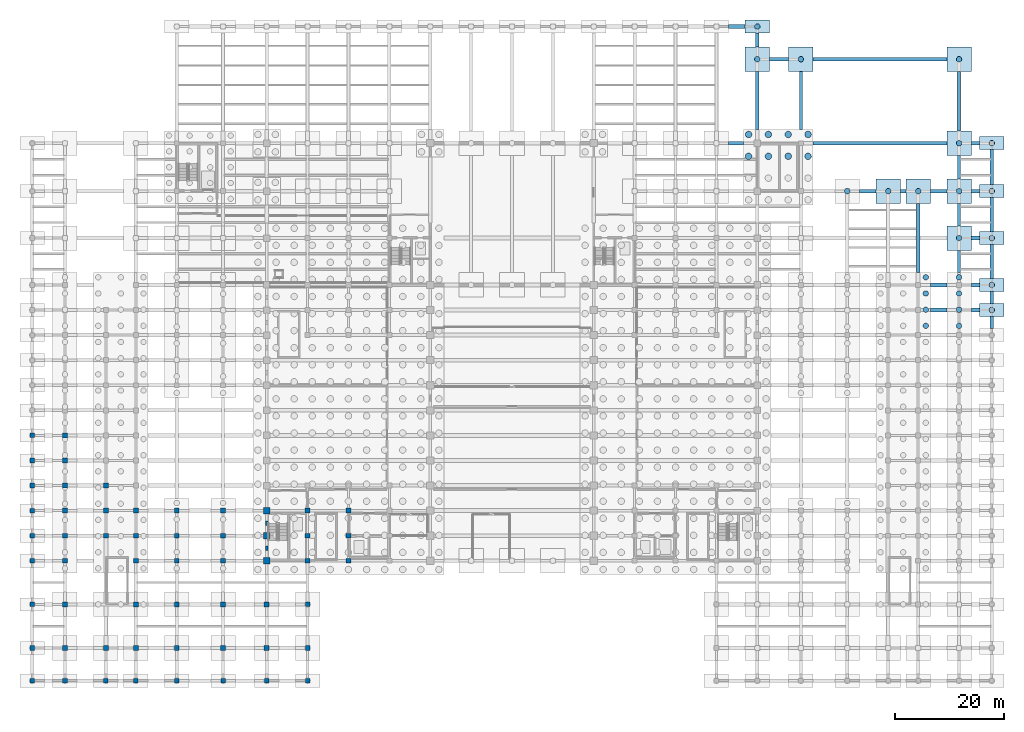
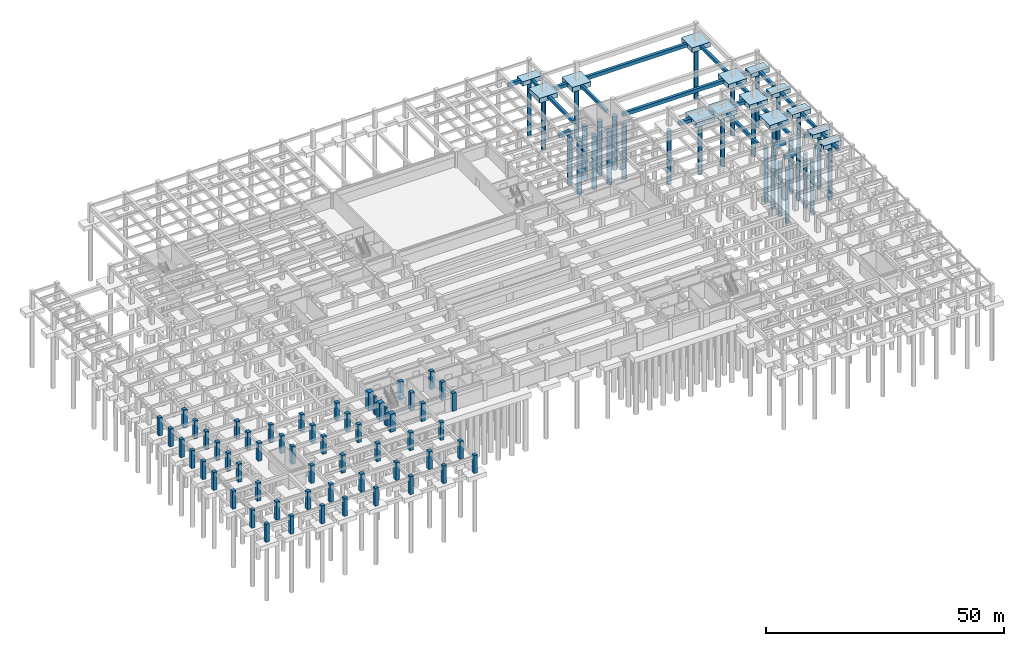
# One storey, part 10 of 32: 58 columns, 42 footings, 31 piles.
"""IFC4 building model written with IfcOpenShell, lengths in metres."""

import ifcopenshell
import ifcopenshell.guid

model = None  # the IFC model being written
_history = None  # IfcOwnerHistory: only IFC2X3 demands one
_inside = {}  # id of a spatial element -> (the spatial element, [elements in it])
_under = {}  # id of a project, library or spatial element -> (it, [spatial elements below it])
_declared = {}  # id of a project -> (the project, [libraries it declares])
_typed = {}  # id of a type object -> (the type object, [elements of that type])
_made_of = {}  # id of a material, layer set ... -> (it, [elements and type objects made of it])


def new_model(schema):
    """Start an empty IFC model of exactly this schema.

    Asked for "IFC4X3", IfcOpenShell would pick the latest addendum, in which some entities
    have other attributes; the version numbers below select the first issue.
    IFC2X3 requires an IfcOwnerHistory on every rooted entity: one is made here for all.
    """
    global model, _history
    if schema == "IFC4X3":
        model = ifcopenshell.file(schema_version=(4, 3, 0, 0))
    else:
        model = ifcopenshell.file(schema=schema)
    _inside.clear()
    _under.clear()
    _declared.clear()
    _typed.clear()
    _made_of.clear()
    _history = None
    if model.schema == "IFC2X3":
        org = make("IfcOrganization", Name="unknown")
        user = make(
            "IfcPersonAndOrganization",
            ThePerson=make("IfcPerson", FamilyName="unknown"),
            TheOrganization=org,
        )
        app = make(
            "IfcApplication",
            ApplicationDeveloper=org,
            Version="unknown",
            ApplicationFullName="unknown",
            ApplicationIdentifier="unknown",
        )
        _history = make(
            "IfcOwnerHistory",
            OwningUser=user,
            OwningApplication=app,
            ChangeAction="ADDED",
            CreationDate=0,
        )
    return model


def make(cls, **values):
    """One entity of the class cls with the attributes given. An attribute that is None is left unset."""
    return model.create_entity(
        cls, **{name: value for name, value in values.items() if value is not None}
    )


def rooted(cls, **values):
    """An entity with a GlobalId (a new one), such as an element, a storey or a relation."""
    return make(cls, GlobalId=ifcopenshell.guid.new(), OwnerHistory=_history, **values)


def si_unit(unit_type, name, prefix=None):
    """IfcSIUnit, for example si_unit("LENGTHUNIT", "METRE", prefix="MILLI")."""
    return make("IfcSIUnit", UnitType=unit_type, Prefix=prefix, Name=name)


def assignment(units):
    """IfcUnitAssignment: the units of a project."""
    return None if units is None else make("IfcUnitAssignment", Units=units)


def point(xyz):
    """IfcCartesianPoint."""
    return None if xyz is None else make("IfcCartesianPoint", Coordinates=xyz)


def direction(xyz):
    """IfcDirection."""
    return None if xyz is None else make("IfcDirection", DirectionRatios=xyz)


def frame(location, z_axis=None, x_axis=None):
    """IfcAxis2Placement3D, a coordinate frame: its origin and axes. An axis left out is left unset."""
    return make(
        "IfcAxis2Placement3D",
        Location=point(location),
        Axis=direction(z_axis),
        RefDirection=direction(x_axis),
    )


def frame_2d(location, x_axis=None):
    """IfcAxis2Placement2D, a coordinate frame in the plane: its origin and x axis."""
    return make(
        "IfcAxis2Placement2D", Location=point(location), RefDirection=direction(x_axis)
    )


def origin():
    """The frame at (0, 0, 0) with its axes left unset."""
    return frame((0.0, 0.0, 0.0))


def origin_2d():
    """The frame at (0, 0) in the plane with its x axis left unset."""
    return frame_2d((0.0, 0.0))


def place(relative_to, where):
    """IfcLocalPlacement: puts the frame where relative to a parent placement (None: the world)."""
    return make(
        "IfcLocalPlacement", PlacementRelTo=relative_to, RelativePlacement=where
    )


def context(
    kind, dimensions, precision=None, world=None, true_north=None, identifier=None
):
    """IfcGeometricRepresentationContext, for example the 3D "Model" context."""
    return make(
        "IfcGeometricRepresentationContext",
        ContextIdentifier=identifier,
        ContextType=kind,
        CoordinateSpaceDimension=dimensions,
        Precision=precision,
        WorldCoordinateSystem=world,
        TrueNorth=true_north,
    )


def subcontext(parent, identifier, kind, view, scale=None):
    """IfcGeometricRepresentationSubContext, for example "Body" below "Model"."""
    return make(
        "IfcGeometricRepresentationSubContext",
        ContextIdentifier=identifier,
        ContextType=kind,
        ParentContext=parent,
        TargetScale=scale,
        TargetView=view,
    )


def project(units=None, contexts=None):
    """IfcProject with its units and contexts."""
    return rooted(
        "IfcProject",
        Name="project",
        RepresentationContexts=contexts,
        UnitsInContext=assignment(units),
    )


def spatial(cls, under=None, at=None, **own):
    """A site, building, storey or space (cls), placed at a placement, below another one or the project."""
    s = rooted(cls, ObjectPlacement=at, **own)
    if under is not None:
        _under.setdefault(under.id(), (under, []))[1].append(s)
    return s


def profile(cls, at=None, kind="AREA", **sizes):
    """A parametric profile (cls). Its sizes go by their IFC names, for example OverallWidth=200.0."""
    return make(cls, ProfileType=kind, Position=at, **sizes)


def rectangle(**sizes):
    """IfcRectangleProfileDef."""
    return profile("IfcRectangleProfileDef", **sizes)


def circle(**sizes):
    """IfcCircleProfileDef."""
    return profile("IfcCircleProfileDef", **sizes)


def extrude(swept, where, along, depth):
    """IfcExtrudedAreaSolid: the profile swept, set in the frame where, extruded along a direction by depth."""
    return make(
        "IfcExtrudedAreaSolid",
        SweptArea=swept,
        Position=where,
        ExtrudedDirection=direction(along),
        Depth=depth,
    )


def shape(context_of_items, identifier, shape_type, items):
    """IfcShapeRepresentation: the items that make up one representation, for example the "Body"."""
    return make(
        "IfcShapeRepresentation",
        ContextOfItems=context_of_items,
        RepresentationIdentifier=identifier,
        RepresentationType=shape_type,
        Items=items,
    )


def material(Name=None, Category=None):
    """IfcMaterial."""
    return make("IfcMaterial", Name=Name, Category=Category)


def material_profile(
    of_material, cross_section, Name=None, Category=None, Priority=None
):
    """IfcMaterialProfile: a cross section and its material."""
    return make(
        "IfcMaterialProfile",
        Name=Name,
        Material=of_material,
        Profile=cross_section,
        Priority=Priority,
        Category=Category,
    )


def profile_set(profiles, Name=None, composite=None):
    """IfcMaterialProfileSet."""
    return make(
        "IfcMaterialProfileSet",
        Name=Name,
        MaterialProfiles=profiles,
        CompositeProfile=composite,
    )


def made_of(thing, what):
    """Note that an element or type object is made of a material, layer set ...; save() writes the relation."""
    if what is not None:
        _made_of.setdefault(what.id(), (what, []))[1].append(thing)
    return thing


def type_object(cls, material=None, **own):
    """A type object (cls), such as IfcWallType, which elements share."""
    return made_of(rooted(cls, **own), material)


def element(
    cls,
    number,
    at=None,
    inside=None,
    cuts=None,
    type_object=None,
    material=None,
    context=None,
    identifier="Body",
    shape_type=None,
    held_by="IfcProductDefinitionShape",
    body=None,
    shapes=None,
    **own,
):
    """One element of the class cls, such as IfcWall. Its Tag is "e" and its number.

    at: its placement. inside: the storey or other place that contains it. cuts: it is an
    opening in that element (IfcRelVoidsElement). A single representation is given by context,
    identifier, shape_type and body (its items); several are given by shapes. held_by: the class
    of the entity that holds the representations. save() writes the other relations.
    """
    e = rooted(cls, Tag="e%d" % number, ObjectPlacement=at, **own)
    if body is not None:
        shapes = [shape(context, identifier, shape_type, body)]
    if shapes is not None:
        e.Representation = make(held_by, Representations=shapes)
    if inside is not None:
        _inside.setdefault(inside.id(), (inside, []))[1].append(e)
    if cuts is not None:
        rooted(
            "IfcRelVoidsElement", RelatingBuildingElement=cuts, RelatedOpeningElement=e
        )
    if type_object is not None:
        _typed.setdefault(type_object.id(), (type_object, []))[1].append(e)
    return made_of(e, material)


def aggregate(whole, parts):
    """IfcRelAggregates: a whole, such as a stair, and the parts it consists of."""
    return rooted("IfcRelAggregates", RelatingObject=whole, RelatedObjects=parts)


def save(model, path):
    """Write the relations noted so far, then the file.

    IfcRelAggregates (storeys below a building ...), IfcRelContainedInSpatialStructure (elements
    in a storey), IfcRelDefinesByType, IfcRelAssociatesMaterial and IfcRelDeclares: one each for
    every whole, place, type object, material and project.
    """
    for whole, parts in _under.values():
        aggregate(whole, parts)
    for where, things in _inside.values():
        rooted(
            "IfcRelContainedInSpatialStructure",
            RelatedElements=things,
            RelatingStructure=where,
        )
    for kind, things in _typed.values():
        rooted("IfcRelDefinesByType", RelatedObjects=things, RelatingType=kind)
    for what, things in _made_of.values():
        rooted("IfcRelAssociatesMaterial", RelatedObjects=things, RelatingMaterial=what)
    for by, libraries in _declared.values():
        rooted("IfcRelDeclares", RelatingContext=by, RelatedDefinitions=libraries)
    model.write(path)


model = new_model("IFC4")

# Units and contexts
model_context = context("Model", 3, precision=1e-05, world=origin(), true_north=direction((0.0, 1.0)))
body_context = subcontext(model_context, "Body", "Model", "MODEL_VIEW")
ifc_project = project(units=[si_unit("LENGTHUNIT", "METRE"), si_unit("AREAUNIT", "SQUARE_METRE"), si_unit("VOLUMEUNIT", "CUBIC_METRE"), si_unit("PLANEANGLEUNIT", "RADIAN"), si_unit("MASSUNIT", "GRAM", prefix="KILO")], contexts=[model_context])

# Site, building, storey
site_placement = place(None, origin())
site = spatial("IfcSite", under=ifc_project, at=site_placement, CompositionType="ELEMENT")
building_placement = place(site_placement, origin())
building = spatial("IfcBuilding", under=site, at=building_placement, Name="Muzn Square Opera House", CompositionType="ELEMENT")
storey_placement = place(building_placement, frame((0.0, 0.0, -4.199951171875)))
storey = spatial("IfcBuildingStorey", under=building, at=storey_placement, Name="B1", CompositionType="ELEMENT", Elevation=-4.199951171875)

# Piles
ifc_material_1 = material(Name="Concrete C40/50", Category="concrete")
ifc_material_profile_1 = material_profile(ifc_material_1, circle(Radius=0.5, at=origin_2d()), Name="BORED PILE D1000", Category="concrete")
ifc_profile_set_1 = profile_set([ifc_material_profile_1], Name="Concrete C40/50")
pile_type_1 = type_object("IfcPileType", Name="Bored Pile D1000", PredefinedType="BORED", material=ifc_profile_set_1)
for number, where, z_axis, x_axis, name in (
    (1, (163.89990234375, 65.10009765625, -1.570068359375), (0.0, 0.0, -1.0), (1.0, 0.0, 0.0), "Bored Pile BP-B1-BP-D1000-1639_651-665"),
    (2, (163.89990234375, 68.066650390625, -1.570068359375), (0.0, 0.0, -1.0), (1.0, 0.0, 0.0), "Bored Pile BP-B1-BP-D1000-1639_681-666"),
    (3, (163.89990234375, 71.033203125, -1.570068359375), (0.0, 0.0, -1.0), (1.0, 0.0, 0.0), "Bored Pile BP-B1-BP-D1000-1639_710-667"),
    (4, (163.89990234375, 74.0, -1.570068359375), (0.0, 0.0, -1.0), (1.0, 0.0, 0.0), "Bored Pile BP-B1-BP-D1000-1639_740-668"),
    (5, (170.0, 65.10009765625, -1.570068359375), (0.0, 0.0, -1.0), (1.0, 0.0, 0.0), "Bored Pile BP-B1-BP-D1000-1700_651-684"),
    (6, (170.0, 68.066650390625, -1.570068359375), (0.0, 0.0, -1.0), (1.0, 0.0, 0.0), "Bored Pile BP-B1-BP-D1000-1700_681-685"),
    (7, (170.0, 71.033203125, -1.570068359375), (0.0, 0.0, -1.0), (1.0, 0.0, 0.0), "Bored Pile BP-B1-BP-D1000-1700_710-686"),
    (8, (170.0, 74.0, -1.570068359375), (0.0, 0.0, -1.0), (1.0, 0.0, 0.0), "Bored Pile BP-B1-BP-D1000-1700_740-687"),
):
    element("IfcPile", number, at=place(storey_placement, frame(where, z_axis=z_axis, x_axis=x_axis)), inside=storey, type_object=pile_type_1, Name=name, PredefinedType="BORED", context=body_context, shape_type="SweptSolid", body=[
        extrude(circle(Radius=0.5, at=origin_2d()), origin(), (0.0, 0.0, 1.0), 13.929931640625),
    ])
for number, where, z_axis, x_axis, name in (
    (9, (176.0, 68.0, -1.469970703125), (0.0, 0.0, -1.0), (1.0, 0.0, 0.0), "Bored Pile BP-B1-BP-D1000-1760_680-741"),
    (10, (176.0, 72.60009765625, -1.469970703125), (0.0, 0.0, -1.0), (1.0, 0.0, 0.0), "Bored Pile BP-B1-BP-D1000-1760_726-746"),
):
    element("IfcPile", number, at=place(storey_placement, frame(where, z_axis=z_axis, x_axis=x_axis)), inside=storey, type_object=pile_type_1, Name=name, PredefinedType="BORED", context=body_context, shape_type="SweptSolid", body=[
        extrude(circle(Radius=0.5, at=origin_2d()), origin(), (0.0, 0.0, 1.0), 14.030029296875),
    ])
pile_1_placement = place(storey_placement, frame((170.0, 81.199951171875, -1.570068359375), z_axis=(0.0, 0.0, -1.0), x_axis=(1.0, 0.0, 0.0)))
element("IfcPile", 11, at=pile_1_placement, inside=storey, type_object=pile_type_1, Name="Bored Pile BP-B1-BP-D1000-1700_812-752", PredefinedType="BORED", context=body_context, shape_type="SweptSolid", body=[
    extrude(circle(Radius=0.5, at=origin_2d()), origin(), (0.0, 0.0, 1.0), 13.929931640625),
])
pile_2_placement = place(storey_placement, frame((176.0, 81.199951171875, -1.469970703125), z_axis=(0.0, 0.0, -1.0), x_axis=(1.0, 0.0, 0.0)))
element("IfcPile", 12, at=pile_2_placement, inside=storey, type_object=pile_type_1, Name="Bored Pile BP-B1-BP-D1000-1760_812-754", PredefinedType="BORED", context=body_context, shape_type="SweptSolid", body=[
    extrude(circle(Radius=0.5, at=origin_2d()), origin(), (0.0, 0.0, 1.0), 14.030029296875),
])
for number, where, z_axis, x_axis, name in (
    (13, (149.5, 89.800048828125, -1.570068359375), (0.0, 0.0, -1.0), (1.0, 0.0, 0.0), "Bored Pile BP-B1-BP-D1000-1495_898-803"),
    (14, (157.0, 89.800048828125, -1.570068359375), (0.0, 0.0, -1.0), (1.0, 0.0, 0.0), "Bored Pile BP-B1-BP-D1000-1570_898-804"),
    (15, (162.5, 89.800048828125, -1.570068359375), (0.0, 0.0, -1.0), (1.0, 0.0, 0.0), "Bored Pile BP-B1-BP-D1000-1625_898-805"),
    (16, (170.0, 89.800048828125, -1.570068359375), (0.0, 0.0, -1.0), (1.0, 0.0, 0.0), "Bored Pile BP-B1-BP-D1000-1700_898-806"),
):
    element("IfcPile", number, at=place(storey_placement, frame(where, z_axis=z_axis, x_axis=x_axis)), inside=storey, type_object=pile_type_1, Name=name, PredefinedType="BORED", context=body_context, shape_type="SweptSolid", body=[
        extrude(circle(Radius=0.5, at=origin_2d()), origin(), (0.0, 0.0, 1.0), 13.929931640625),
    ])
pile_3_placement = place(storey_placement, frame((176.0, 89.800048828125, -1.469970703125), z_axis=(0.0, 0.0, -1.0), x_axis=(1.0, 0.0, 0.0)))
element("IfcPile", 17, at=pile_3_placement, inside=storey, type_object=pile_type_1, Name="Bored Pile BP-B1-BP-D1000-1760_898-808", PredefinedType="BORED", context=body_context, shape_type="SweptSolid", body=[
    extrude(circle(Radius=0.5, at=origin_2d()), origin(), (0.0, 0.0, 1.0), 14.030029296875),
])
pile_4_placement = place(storey_placement, frame((170.0, 98.60009765625, -1.570068359375), z_axis=(0.0, 0.0, -1.0), x_axis=(1.0, 0.0, 0.0)))
element("IfcPile", 18, at=pile_4_placement, inside=storey, type_object=pile_type_1, Name="Bored Pile BP-B1-BP-D1000-1700_986-832", PredefinedType="BORED", context=body_context, shape_type="SweptSolid", body=[
    extrude(circle(Radius=0.5, at=origin_2d()), origin(), (0.0, 0.0, 1.0), 13.929931640625),
])
pile_5_placement = place(storey_placement, frame((176.0, 98.60009765625, -1.469970703125), z_axis=(0.0, 0.0, -1.0), x_axis=(1.0, 0.0, 0.0)))
element("IfcPile", 19, at=pile_5_placement, inside=storey, type_object=pile_type_1, Name="Bored Pile BP-B1-BP-D1000-1760_986-834", PredefinedType="BORED", context=body_context, shape_type="SweptSolid", body=[
    extrude(circle(Radius=0.5, at=origin_2d()), origin(), (0.0, 0.0, 1.0), 14.030029296875),
])
for number, where, z_axis, x_axis, name in (
    (20, (133.0, 114.0, -1.570068359375), (0.0, 0.0, -1.0), (1.0, 0.0, 0.0), "Bored Pile BP-B1-BP-D1000-1330_1140-835"),
    (21, (141.0, 114.0, -1.570068359375), (0.0, 0.0, -1.0), (1.0, 0.0, 0.0), "Bored Pile BP-B1-BP-D1000-1410_1140-836"),
    (22, (170.0, 114.0, -1.570068359375), (0.0, 0.0, -1.0), (1.0, 0.0, 0.0), "Bored Pile BP-B1-BP-D1000-1700_1140-837"),
):
    element("IfcPile", number, at=place(storey_placement, frame(where, z_axis=z_axis, x_axis=x_axis)), inside=storey, type_object=pile_type_1, Name=name, PredefinedType="BORED", context=body_context, shape_type="SweptSolid", body=[
        extrude(circle(Radius=0.5, at=origin_2d()), origin(), (0.0, 0.0, 1.0), 13.929931640625),
    ])
pile_6_placement = place(storey_placement, frame((133.0, 120.0, -1.469970703125), z_axis=(0.0, 0.0, -1.0), x_axis=(1.0, 0.0, 0.0)))
element("IfcPile", 23, at=pile_6_placement, inside=storey, type_object=pile_type_1, Name="Bored Pile BP-B1-BP-D1000-1330_1200-852", PredefinedType="BORED", context=body_context, shape_type="SweptSolid", body=[
    extrude(circle(Radius=0.5, at=origin_2d()), origin(), (0.0, 0.0, 1.0), 14.030029296875),
])
ifc_material_profile_2 = material_profile(ifc_material_1, circle(Radius=0.60009765625, at=origin_2d()), Name="BORED PILE D1200", Category="concrete")
ifc_profile_set_2 = profile_set([ifc_material_profile_2], Name="Concrete C40/50")
pile_type_2 = type_object("IfcPileType", Name="Bored Pile D1200", PredefinedType="BORED", material=ifc_profile_set_2)
for number, where, z_axis, x_axis, name in (
    (24, (131.39990234375, 96.199951171875, -1.719970703125), (0.0, 0.0, -1.0), (1.0, 0.0, 0.0), "Bored Pile BP-B1-BP-D1200-1314_962-761"),
    (25, (131.39990234375, 100.199951171875, -1.719970703125), (0.0, 0.0, -1.0), (1.0, 0.0, 0.0), "Bored Pile BP-B1-BP-D1200-1314_1002-762"),
    (26, (135.033203125, 96.199951171875, -1.719970703125), (0.0, 0.0, -1.0), (1.0, 0.0, 0.0), "Bored Pile BP-B1-BP-D1200-1350_962-765"),
    (27, (135.033203125, 100.199951171875, -1.719970703125), (0.0, 0.0, -1.0), (1.0, 0.0, 0.0), "Bored Pile BP-B1-BP-D1200-1350_1002-766"),
    (28, (138.666748046875, 96.199951171875, -1.719970703125), (0.0, 0.0, -1.0), (1.0, 0.0, 0.0), "Bored Pile BP-B1-BP-D1200-1387_962-769"),
    (29, (138.666748046875, 100.199951171875, -1.719970703125), (0.0, 0.0, -1.0), (1.0, 0.0, 0.0), "Bored Pile BP-B1-BP-D1200-1387_1002-770"),
    (30, (142.300048828125, 96.199951171875, -1.719970703125), (0.0, 0.0, -1.0), (1.0, 0.0, 0.0), "Bored Pile BP-B1-BP-D1200-1423_962-773"),
    (31, (142.300048828125, 100.199951171875, -1.719970703125), (0.0, 0.0, -1.0), (1.0, 0.0, 0.0), "Bored Pile BP-B1-BP-D1200-1423_1002-774"),
):
    element("IfcPile", number, at=place(storey_placement, frame(where, z_axis=z_axis, x_axis=x_axis)), inside=storey, type_object=pile_type_2, Name=name, PredefinedType="BORED", context=body_context, shape_type="SweptSolid", body=[
        extrude(circle(Radius=0.60009765625, at=origin_2d()), origin(), (0.0, 0.0, 1.0), 13.780029296875),
    ])

# Footings
ifc_material_profile_3 = material_profile(ifc_material_1, rectangle(XDim=0.60009765625, YDim=0.800048828125, at=origin_2d()), Name="RCTB 600x800", Category="concrete")
ifc_profile_set_3 = profile_set([ifc_material_profile_3], Name="Concrete C40/50")
footing_type_1 = type_object("IfcFootingType", Name="Foundation Tie Beam 600x800", PredefinedType="FOOTING_BEAM", material=ifc_profile_set_3)
footing_1_placement = place(storey_placement, frame((133.0, 101.14990234375, -0.820068359375), z_axis=(0.0, 1.0, 0.0), x_axis=(-1.0, 0.0, 0.0)))
element("IfcFooting", 32, at=footing_1_placement, inside=storey, type_object=footing_type_1, Name="Foundation Tie Beam FTB-Y311", PredefinedType="FOOTING_BEAM", context=body_context, shape_type="SweptSolid", body=[
    extrude(rectangle(XDim=0.60009765625, YDim=0.800048828125, at=origin_2d()), origin(), (0.0, 0.0, 1.0), 10.60009765625),
])
footing_2_placement = place(storey_placement, frame((133.0, 116.25, -0.820068359375), z_axis=(0.0, 1.0, 0.0), x_axis=(-1.0, 0.0, 0.0)))
element("IfcFooting", 33, at=footing_2_placement, inside=storey, type_object=footing_type_1, Name="Foundation Tie Beam FTB-Y312", PredefinedType="FOOTING_BEAM", context=body_context, shape_type="SweptSolid", body=[
    extrude(rectangle(XDim=0.60009765625, YDim=0.800048828125, at=origin_2d()), origin(), (0.0, 0.0, 1.0), 2.550048828125),
])
footing_3_placement = place(storey_placement, frame((141.0, 101.14990234375, -0.820068359375), z_axis=(0.0, 1.0, 0.0), x_axis=(-1.0, 0.0, 0.0)))
element("IfcFooting", 34, at=footing_3_placement, inside=storey, type_object=footing_type_1, Name="Foundation Tie Beam FTB-Y319", PredefinedType="FOOTING_BEAM", context=body_context, shape_type="SweptSolid", body=[
    extrude(rectangle(XDim=0.60009765625, YDim=0.800048828125, at=origin_2d()), origin(), (0.0, 0.0, 1.0), 10.60009765625),
])
footing_4_placement = place(storey_placement, frame((162.5, 74.85009765625, -0.820068359375), z_axis=(0.0, 1.0, 0.0), x_axis=(-1.0, 0.0, 0.0)))
element("IfcFooting", 35, at=footing_4_placement, inside=storey, type_object=footing_type_1, Name="Foundation Tie Beam FTB-Y332", PredefinedType="FOOTING_BEAM", context=body_context, shape_type="SweptSolid", body=[
    extrude(rectangle(XDim=0.60009765625, YDim=0.800048828125, at=origin_2d()), origin(), (0.0, 0.0, 1.0), 12.699951171875),
])
footing_5_placement = place(storey_placement, frame((170.0, 74.85009765625, -0.820068359375), z_axis=(0.0, 1.0, 0.0), x_axis=(-1.0, 0.0, 0.0)))
element("IfcFooting", 36, at=footing_5_placement, inside=storey, type_object=footing_type_1, Name="Foundation Tie Beam FTB-Y336", PredefinedType="FOOTING_BEAM", context=body_context, shape_type="SweptSolid", body=[
    extrude(rectangle(XDim=0.60009765625, YDim=0.800048828125, at=origin_2d()), origin(), (0.0, 0.0, 1.0), 4.099853515625),
])
footing_6_placement = place(storey_placement, frame((170.0, 83.449951171875, -0.820068359375), z_axis=(0.0, 1.0, 0.0), x_axis=(-1.0, 0.0, 0.0)))
element("IfcFooting", 37, at=footing_6_placement, inside=storey, type_object=footing_type_1, Name="Foundation Tie Beam FTB-Y337", PredefinedType="FOOTING_BEAM", context=body_context, shape_type="SweptSolid", body=[
    extrude(rectangle(XDim=0.60009765625, YDim=0.800048828125, at=origin_2d()), origin(), (0.0, 0.0, 1.0), 4.10009765625),
])
footing_7_placement = place(storey_placement, frame((170.0, 92.050048828125, -0.820068359375), z_axis=(0.0, 1.0, 0.0), x_axis=(-1.0, 0.0, 0.0)))
element("IfcFooting", 38, at=footing_7_placement, inside=storey, type_object=footing_type_1, Name="Foundation Tie Beam FTB-Y338", PredefinedType="FOOTING_BEAM", context=body_context, shape_type="SweptSolid", body=[
    extrude(rectangle(XDim=0.60009765625, YDim=0.800048828125, at=origin_2d()), origin(), (0.0, 0.0, 1.0), 4.300048828125),
])
footing_8_placement = place(storey_placement, frame((170.0, 100.85009765625, -0.820068359375), z_axis=(0.0, 1.0, 0.0), x_axis=(-1.0, 0.0, 0.0)))
element("IfcFooting", 39, at=footing_8_placement, inside=storey, type_object=footing_type_1, Name="Foundation Tie Beam FTB-Y339", PredefinedType="FOOTING_BEAM", context=body_context, shape_type="SweptSolid", body=[
    extrude(rectangle(XDim=0.60009765625, YDim=0.800048828125, at=origin_2d()), origin(), (0.0, 0.0, 1.0), 10.89990234375),
])
for number, where, z_axis, x_axis, name in (
    (40, (176.0, 64.60009765625, -0.820068359375), (0.0, 1.0, 0.0), (-1.0, 0.0, 0.0), "Foundation Tie Beam FTB-Y352"),
    (41, (176.0, 69.199951171875, -0.820068359375), (0.0, 1.0, 0.0), (-1.0, 0.0, 0.0), "Foundation Tie Beam FTB-Y353"),
):
    element("IfcFooting", number, at=place(storey_placement, frame(where, z_axis=z_axis, x_axis=x_axis)), inside=storey, type_object=footing_type_1, Name=name, PredefinedType="FOOTING_BEAM", context=body_context, shape_type="SweptSolid", body=[
        extrude(rectangle(XDim=0.60009765625, YDim=0.800048828125, at=origin_2d()), origin(), (0.0, 0.0, 1.0), 2.199951171875),
    ])
footing_9_placement = place(storey_placement, frame((176.0, 73.800048828125, -0.820068359375), z_axis=(0.0, 1.0, 0.0), x_axis=(-1.0, 0.0, 0.0)))
element("IfcFooting", 42, at=footing_9_placement, inside=storey, type_object=footing_type_1, Name="Foundation Tie Beam FTB-Y354", PredefinedType="FOOTING_BEAM", context=body_context, shape_type="SweptSolid", body=[
    extrude(rectangle(XDim=0.60009765625, YDim=0.800048828125, at=origin_2d()), origin(), (0.0, 0.0, 1.0), 6.199951171875),
])
footing_10_placement = place(storey_placement, frame((176.0, 82.39990234375, -0.820068359375), z_axis=(0.0, 1.0, 0.0), x_axis=(-1.0, 0.0, 0.0)))
element("IfcFooting", 43, at=footing_10_placement, inside=storey, type_object=footing_type_1, Name="Foundation Tie Beam FTB-Y355", PredefinedType="FOOTING_BEAM", context=body_context, shape_type="SweptSolid", body=[
    extrude(rectangle(XDim=0.60009765625, YDim=0.800048828125, at=origin_2d()), origin(), (0.0, 0.0, 1.0), 6.2001953125),
])
footing_11_placement = place(storey_placement, frame((176.0, 91.0, -0.820068359375), z_axis=(0.0, 1.0, 0.0), x_axis=(-1.0, 0.0, 0.0)))
element("IfcFooting", 44, at=footing_11_placement, inside=storey, type_object=footing_type_1, Name="Foundation Tie Beam FTB-Y356", PredefinedType="FOOTING_BEAM", context=body_context, shape_type="SweptSolid", body=[
    extrude(rectangle(XDim=0.60009765625, YDim=0.800048828125, at=origin_2d()), origin(), (0.0, 0.0, 1.0), 6.39990234375),
])
ifc_material_profile_4 = material_profile(ifc_material_1, rectangle(XDim=0.699951171875, YDim=0.89990234375, at=origin_2d()), Name="RCTB 700x900", Category="concrete")
ifc_profile_set_4 = profile_set([ifc_material_profile_4], Name="Concrete C40/50")
footing_type_2 = type_object("IfcFootingType", Name="Foundation Tie Beam 700x900", PredefinedType="FOOTING_BEAM", material=ifc_profile_set_4)
footing_12_placement = place(storey_placement, frame((164.75, 68.0, -0.8701171875), z_axis=(1.0, 0.0, 0.0), x_axis=(0.0, 1.0, 0.0)))
element("IfcFooting", 45, at=footing_12_placement, inside=storey, type_object=footing_type_2, Name="Foundation Tie Beam FTB-X147", PredefinedType="FOOTING_BEAM", context=body_context, shape_type="SweptSolid", body=[
    extrude(rectangle(XDim=0.699951171875, YDim=0.89990234375, at=origin_2d()), origin(), (0.0, 0.0, 1.0), 3.0),
])
footing_13_placement = place(storey_placement, frame((172.25, 68.0, -0.8701171875), z_axis=(1.0, 0.0, 0.0), x_axis=(0.0, 1.0, 0.0)))
element("IfcFooting", 46, at=footing_13_placement, inside=storey, type_object=footing_type_2, Name="Foundation Tie Beam FTB-X148", PredefinedType="FOOTING_BEAM", context=body_context, shape_type="SweptSolid", body=[
    extrude(rectangle(XDim=0.699951171875, YDim=0.89990234375, at=origin_2d()), origin(), (0.0, 0.0, 1.0), 1.5),
])
footing_14_placement = place(storey_placement, frame((164.75, 72.60009765625, -0.8701171875), z_axis=(1.0, 0.0, 0.0), x_axis=(0.0, 1.0, 0.0)))
element("IfcFooting", 47, at=footing_14_placement, inside=storey, type_object=footing_type_2, Name="Foundation Tie Beam FTB-X161", PredefinedType="FOOTING_BEAM", context=body_context, shape_type="SweptSolid", body=[
    extrude(rectangle(XDim=0.699951171875, YDim=0.89990234375, at=origin_2d()), origin(), (0.0, 0.0, 1.0), 3.0),
])
for number, where, z_axis, x_axis, name in (
    (48, (172.25, 72.60009765625, -0.8701171875), (1.0, 0.0, 0.0), (0.0, 1.0, 0.0), "Foundation Tie Beam FTB-X162"),
    (49, (172.25, 81.199951171875, -0.8701171875), (1.0, 0.0, 0.0), (0.0, 1.0, 0.0), "Foundation Tie Beam FTB-X171"),
):
    element("IfcFooting", number, at=place(storey_placement, frame(where, z_axis=z_axis, x_axis=x_axis)), inside=storey, type_object=footing_type_2, Name=name, PredefinedType="FOOTING_BEAM", context=body_context, shape_type="SweptSolid", body=[
        extrude(rectangle(XDim=0.699951171875, YDim=0.89990234375, at=origin_2d()), origin(), (0.0, 0.0, 1.0), 1.5),
    ])
footing_15_placement = place(storey_placement, frame((151.75, 89.800048828125, -0.8701171875), z_axis=(1.0, 0.0, 0.0), x_axis=(0.0, 1.0, 0.0)))
element("IfcFooting", 50, at=footing_15_placement, inside=storey, type_object=footing_type_2, Name="Foundation Tie Beam FTB-X183", PredefinedType="FOOTING_BEAM", context=body_context, shape_type="SweptSolid", body=[
    extrude(rectangle(XDim=0.699951171875, YDim=0.89990234375, at=origin_2d()), origin(), (0.0, 0.0, 1.0), 3.0),
])
footing_16_placement = place(storey_placement, frame((159.25, 89.800048828125, -0.8701171875), z_axis=(1.0, 0.0, 0.0), x_axis=(0.0, 1.0, 0.0)))
element("IfcFooting", 51, at=footing_16_placement, inside=storey, type_object=footing_type_2, Name="Foundation Tie Beam FTB-X184", PredefinedType="FOOTING_BEAM", context=body_context, shape_type="SweptSolid", body=[
    extrude(rectangle(XDim=0.699951171875, YDim=0.89990234375, at=origin_2d()), origin(), (0.0, 0.0, 1.0), 1.0),
])
footing_17_placement = place(storey_placement, frame((164.75, 89.800048828125, -0.8701171875), z_axis=(1.0, 0.0, 0.0), x_axis=(0.0, 1.0, 0.0)))
element("IfcFooting", 52, at=footing_17_placement, inside=storey, type_object=footing_type_2, Name="Foundation Tie Beam FTB-X185", PredefinedType="FOOTING_BEAM", context=body_context, shape_type="SweptSolid", body=[
    extrude(rectangle(XDim=0.699951171875, YDim=0.89990234375, at=origin_2d()), origin(), (0.0, 0.0, 1.0), 3.0),
])
footing_18_placement = place(storey_placement, frame((172.25, 89.800048828125, -0.8701171875), z_axis=(1.0, 0.0, 0.0), x_axis=(0.0, 1.0, 0.0)))
element("IfcFooting", 53, at=footing_18_placement, inside=storey, type_object=footing_type_2, Name="Foundation Tie Beam FTB-X186", PredefinedType="FOOTING_BEAM", context=body_context, shape_type="SweptSolid", body=[
    extrude(rectangle(XDim=0.699951171875, YDim=0.89990234375, at=origin_2d()), origin(), (0.0, 0.0, 1.0), 1.5),
])
footing_19_placement = place(storey_placement, frame((127.75, 98.60009765625, -0.8701171875), z_axis=(1.0, 0.0, 0.0), x_axis=(0.0, 1.0, 0.0)))
element("IfcFooting", 54, at=footing_19_placement, inside=storey, type_object=footing_type_2, Name="Foundation Tie Beam FTB-X202", PredefinedType="FOOTING_BEAM", context=body_context, shape_type="SweptSolid", body=[
    extrude(rectangle(XDim=0.699951171875, YDim=0.89990234375, at=origin_2d()), origin(), (0.0, 0.0, 1.0), 2.699951171875),
])
footing_20_placement = place(storey_placement, frame((143.25, 98.60009765625, -0.8701171875), z_axis=(1.0, 0.0, 0.0), x_axis=(0.0, 1.0, 0.0)))
element("IfcFooting", 55, at=footing_20_placement, inside=storey, type_object=footing_type_2, Name="Foundation Tie Beam FTB-X203", PredefinedType="FOOTING_BEAM", context=body_context, shape_type="SweptSolid", body=[
    extrude(rectangle(XDim=0.699951171875, YDim=0.89990234375, at=origin_2d()), origin(), (0.0, 0.0, 1.0), 24.5),
])
footing_21_placement = place(storey_placement, frame((172.25, 98.60009765625, -0.8701171875), z_axis=(1.0, 0.0, 0.0), x_axis=(0.0, 1.0, 0.0)))
element("IfcFooting", 56, at=footing_21_placement, inside=storey, type_object=footing_type_2, Name="Foundation Tie Beam FTB-X204", PredefinedType="FOOTING_BEAM", context=body_context, shape_type="SweptSolid", body=[
    extrude(rectangle(XDim=0.699951171875, YDim=0.89990234375, at=origin_2d()), origin(), (0.0, 0.0, 1.0), 1.5),
])
footing_22_placement = place(storey_placement, frame((135.25, 114.0, -0.8701171875), z_axis=(1.0, 0.0, 0.0), x_axis=(0.0, 1.0, 0.0)))
element("IfcFooting", 57, at=footing_22_placement, inside=storey, type_object=footing_type_2, Name="Foundation Tie Beam FTB-X205", PredefinedType="FOOTING_BEAM", context=body_context, shape_type="SweptSolid", body=[
    extrude(rectangle(XDim=0.699951171875, YDim=0.89990234375, at=origin_2d()), origin(), (0.0, 0.0, 1.0), 3.5),
])
footing_23_placement = place(storey_placement, frame((143.25, 114.0, -0.8701171875), z_axis=(1.0, 0.0, 0.0), x_axis=(0.0, 1.0, 0.0)))
element("IfcFooting", 58, at=footing_23_placement, inside=storey, type_object=footing_type_2, Name="Foundation Tie Beam FTB-X206", PredefinedType="FOOTING_BEAM", context=body_context, shape_type="SweptSolid", body=[
    extrude(rectangle(XDim=0.699951171875, YDim=0.89990234375, at=origin_2d()), origin(), (0.0, 0.0, 1.0), 24.5),
])
footing_24_placement = place(storey_placement, frame((127.75, 120.0, -0.8701171875), z_axis=(1.0, 0.0, 0.0), x_axis=(0.0, 1.0, 0.0)))
element("IfcFooting", 59, at=footing_24_placement, inside=storey, type_object=footing_type_2, Name="Foundation Tie Beam FTB-X220", PredefinedType="FOOTING_BEAM", context=body_context, shape_type="SweptSolid", body=[
    extrude(rectangle(XDim=0.699951171875, YDim=0.89990234375, at=origin_2d()), origin(), (0.0, 0.0, 1.0), 3.0),
])
footing_type_3 = type_object("IfcFootingType", Name="Pile Cap 4500x2400x1150", PredefinedType="PILE_CAP", material=ifc_material_1)
for number, where, z_axis, x_axis, name in (
    (60, (176.0, 68.0, -1.570068359375), (0.0, 0.0, 1.0), (1.0, 0.0, 0.0), "Pile Cap PC-B1-085"),
    (61, (176.0, 72.60009765625, -1.570068359375), (0.0, 0.0, 1.0), (1.0, 0.0, 0.0), "Pile Cap PC-B1-090"),
    (62, (176.0, 81.199951171875, -1.570068359375), (0.0, 0.0, 1.0), (1.0, 0.0, 0.0), "Pile Cap PC-B1-098"),
    (63, (176.0, 89.800048828125, -1.570068359375), (0.0, 0.0, 1.0), (1.0, 0.0, 0.0), "Pile Cap PC-B1-115"),
    (64, (176.0, 98.60009765625, -1.570068359375), (0.0, 0.0, 1.0), (1.0, 0.0, 0.0), "Pile Cap PC-B1-132"),
    (65, (133.0, 120.0, -1.570068359375), (0.0, 0.0, 1.0), (1.0, 0.0, 0.0), "Pile Cap PC-B1-150"),
):
    element("IfcFooting", number, at=place(storey_placement, frame(where, z_axis=z_axis, x_axis=x_axis)), inside=storey, type_object=footing_type_3, Name=name, PredefinedType="PILE_CAP", context=body_context, shape_type="SweptSolid", body=[
        extrude(rectangle(XDim=4.5, YDim=2.39990234375, at=origin_2d()), origin(), (0.0, 0.0, 1.0), 1.14990234375),
    ])
footing_type_4 = type_object("IfcFootingType", Name="Pile Cap 4500x4500x1250", PredefinedType="PILE_CAP", material=ifc_material_1)
for number, where, z_axis, x_axis, name in (
    (66, (170.0, 81.199951171875, -1.670166015625), (0.0, 0.0, 1.0), (1.0, 0.0, 0.0), "Pile Cap PC-B1-096"),
    (67, (157.0, 89.800048828125, -1.670166015625), (0.0, 0.0, 1.0), (1.0, 0.0, 0.0), "Pile Cap PC-B1-111"),
    (68, (162.5, 89.800048828125, -1.670166015625), (0.0, 0.0, 1.0), (1.0, 0.0, 0.0), "Pile Cap PC-B1-112"),
    (69, (170.0, 89.800048828125, -1.670166015625), (0.0, 0.0, 1.0), (1.0, 0.0, 0.0), "Pile Cap PC-B1-113"),
    (70, (170.0, 98.60009765625, -1.670166015625), (0.0, 0.0, 1.0), (1.0, 0.0, 0.0), "Pile Cap PC-B1-130"),
    (71, (133.0, 114.0, -1.670166015625), (0.0, 0.0, 1.0), (1.0, 0.0, 0.0), "Pile Cap PC-B1-133"),
    (72, (141.0, 114.0, -1.670166015625), (0.0, 0.0, 1.0), (1.0, 0.0, 0.0), "Pile Cap PC-B1-134"),
    (73, (170.0, 114.0, -1.670166015625), (0.0, 0.0, 1.0), (1.0, 0.0, 0.0), "Pile Cap PC-B1-135"),
):
    element("IfcFooting", number, at=place(storey_placement, frame(where, z_axis=z_axis, x_axis=x_axis)), inside=storey, type_object=footing_type_4, Name=name, PredefinedType="PILE_CAP", context=body_context, shape_type="SweptSolid", body=[
        extrude(rectangle(XDim=4.5, YDim=4.5, at=origin_2d()), origin(), (0.0, 0.0, 1.0), 1.25),
    ])

# Columns
ifc_material_2 = material(Name="Concrete C45/55", Category="concrete")
ifc_material_profile_5 = material_profile(ifc_material_2, rectangle(XDim=0.5, YDim=0.800048828125, at=origin_2d()), Name="RC 500x800", Category="concrete")
ifc_profile_set_5 = profile_set([ifc_material_profile_5], Name="Concrete C45/55")
column_type_1 = type_object("IfcColumnType", Name="Facade Pilaster 500x800", PredefinedType="PILASTER", material=ifc_profile_set_5)
for number, where, z_axis, x_axis, name in (
    (74, (43.0, 24.300048828125, -0.420166015625), (0.0, 0.0, 1.0), (1.0, 0.0, 0.0), "Engaged Pilaster PIL-B1-PIL-5080-430_243"),
    (75, (43.0, 28.89990234375, -0.420166015625), (0.0, 0.0, 1.0), (1.0, 0.0, 0.0), "Engaged Pilaster PIL-B1-PIL-5080-430_289"),
):
    element("IfcColumn", number, at=place(storey_placement, frame(where, z_axis=z_axis, x_axis=x_axis)), inside=storey, type_object=column_type_1, Name=name, PredefinedType="PILASTER", context=body_context, shape_type="SweptSolid", body=[
        extrude(rectangle(XDim=0.5, YDim=0.800048828125, at=origin_2d()), origin(), (0.0, 0.0, 1.0), 4.6201171875),
    ])
ifc_material_profile_6 = material_profile(ifc_material_2, rectangle(XDim=1.199951171875, YDim=1.199951171875, at=origin_2d()), Name="RC 1200x1200", Category="concrete")
ifc_profile_set_6 = profile_set([ifc_material_profile_6], Name="Concrete C45/55")
column_type_2 = type_object("IfcColumnType", Name="Frame Column 1200x1200", PredefinedType="COLUMN", material=ifc_profile_set_6)
for number, where, z_axis, x_axis, name in (
    (76, (43.0, 22.0, -0.420166015625), (0.0, 0.0, 1.0), (1.0, 0.0, 0.0), "Column COL-B1-COL-1200-430_220"),
    (77, (43.0, 26.60009765625, -0.420166015625), (0.0, 0.0, 1.0), (1.0, 0.0, 0.0), "Column COL-B1-COL-1200-430_266"),
    (78, (43.0, 31.199951171875, -0.420166015625), (0.0, 0.0, 1.0), (1.0, 0.0, 0.0), "Column COL-B1-COL-1200-430_312"),
):
    element("IfcColumn", number, at=place(storey_placement, frame(where, z_axis=z_axis, x_axis=x_axis)), inside=storey, type_object=column_type_2, Name=name, PredefinedType="COLUMN", context=body_context, shape_type="SweptSolid", body=[
        extrude(rectangle(XDim=1.199951171875, YDim=1.199951171875, at=origin_2d()), origin(), (0.0, 0.0, 1.0), 4.6201171875),
    ])
ifc_material_profile_7 = material_profile(ifc_material_2, rectangle(XDim=0.85009765625, YDim=0.85009765625, at=origin_2d()), Name="RC 850x850", Category="concrete")
ifc_profile_set_7 = profile_set([ifc_material_profile_7], Name="Concrete C45/55")
column_type_3 = type_object("IfcColumnType", Name="Frame Column 850x850", PredefinedType="COLUMN", material=ifc_profile_set_7)
for number, where, z_axis, x_axis, name in (
    (79, (0.0, 0.0, -0.420166015625), (0.0, 0.0, 1.0), (1.0, 0.0, 0.0), "Column COL-B1-COL-850-0_0"),
    (80, (0.0, 6.0, -0.420166015625), (0.0, 0.0, 1.0), (1.0, 0.0, 0.0), "Column COL-B1-COL-850-0_60"),
    (81, (0.0, 14.0, -0.420166015625), (0.0, 0.0, 1.0), (1.0, 0.0, 0.0), "Column COL-B1-COL-850-0_140"),
    (82, (0.0, 22.0, -0.420166015625), (0.0, 0.0, 1.0), (1.0, 0.0, 0.0), "Column COL-B1-COL-850-0_220"),
    (83, (0.0, 26.60009765625, -0.420166015625), (0.0, 0.0, 1.0), (1.0, 0.0, 0.0), "Column COL-B1-COL-850-0_266"),
    (84, (0.0, 31.199951171875, -0.420166015625), (0.0, 0.0, 1.0), (1.0, 0.0, 0.0), "Column COL-B1-COL-850-0_312"),
    (85, (0.0, 35.800048828125, -0.420166015625), (0.0, 0.0, 1.0), (1.0, 0.0, 0.0), "Column COL-B1-COL-850-0_358"),
    (86, (0.0, 40.39990234375, -0.420166015625), (0.0, 0.0, 1.0), (1.0, 0.0, 0.0), "Column COL-B1-COL-850-0_404"),
    (87, (0.0, 45.0, -0.420166015625), (0.0, 0.0, 1.0), (1.0, 0.0, 0.0), "Column COL-B1-COL-850-0_450"),
    (88, (6.0, 0.0, -0.420166015625), (0.0, 0.0, 1.0), (1.0, 0.0, 0.0), "Column COL-B1-COL-850-60_0"),
    (89, (13.5, 0.0, -0.420166015625), (0.0, 0.0, 1.0), (1.0, 0.0, 0.0), "Column COL-B1-COL-850-135_0"),
    (90, (19.0, 0.0, -0.420166015625), (0.0, 0.0, 1.0), (1.0, 0.0, 0.0), "Column COL-B1-COL-850-190_0"),
    (91, (26.5, 0.0, -0.420166015625), (0.0, 0.0, 1.0), (1.0, 0.0, 0.0), "Column COL-B1-COL-850-265_0"),
    (92, (35.0, 0.0, -0.420166015625), (0.0, 0.0, 1.0), (1.0, 0.0, 0.0), "Column COL-B1-COL-850-350_0"),
    (93, (43.0, 0.0, -0.420166015625), (0.0, 0.0, 1.0), (1.0, 0.0, 0.0), "Column COL-B1-COL-850-430_0"),
    (94, (50.5, 0.0, -0.420166015625), (0.0, 0.0, 1.0), (1.0, 0.0, 0.0), "Column COL-B1-COL-850-505_0"),
    (95, (50.5, 6.0, -0.420166015625), (0.0, 0.0, 1.0), (1.0, 0.0, 0.0), "Column COL-B1-COL-850-505_60"),
    (96, (50.5, 14.0, -0.420166015625), (0.0, 0.0, 1.0), (1.0, 0.0, 0.0), "Column COL-B1-COL-850-505_140"),
):
    element("IfcColumn", number, at=place(storey_placement, frame(where, z_axis=z_axis, x_axis=x_axis)), inside=storey, type_object=column_type_3, Name=name, PredefinedType="COLUMN", context=body_context, shape_type="SweptSolid", body=[
        extrude(rectangle(XDim=0.85009765625, YDim=0.85009765625, at=origin_2d()), origin(), (0.0, 0.0, 1.0), 4.6201171875),
    ])
ifc_material_profile_8 = material_profile(ifc_material_2, rectangle(XDim=0.89990234375, YDim=0.89990234375, at=origin_2d()), Name="RC 900x900", Category="concrete")
ifc_profile_set_8 = profile_set([ifc_material_profile_8], Name="Concrete C45/55")
column_type_4 = type_object("IfcColumnType", Name="Frame Column 900x900", PredefinedType="COLUMN", material=ifc_profile_set_8)
for number, where, z_axis, x_axis, name in (
    (97, (6.0, 6.0, -0.420166015625), (0.0, 0.0, 1.0), (1.0, 0.0, 0.0), "Column COL-B1-COL-900-60_60"),
    (98, (6.0, 14.0, -0.420166015625), (0.0, 0.0, 1.0), (1.0, 0.0, 0.0), "Column COL-B1-COL-900-60_140"),
    (99, (6.0, 22.0, -0.420166015625), (0.0, 0.0, 1.0), (1.0, 0.0, 0.0), "Column COL-B1-COL-900-60_220"),
    (100, (6.0, 26.60009765625, -0.420166015625), (0.0, 0.0, 1.0), (1.0, 0.0, 0.0), "Column COL-B1-COL-900-60_266"),
    (101, (6.0, 31.199951171875, -0.420166015625), (0.0, 0.0, 1.0), (1.0, 0.0, 0.0), "Column COL-B1-COL-900-60_312"),
    (102, (6.0, 35.800048828125, -0.420166015625), (0.0, 0.0, 1.0), (1.0, 0.0, 0.0), "Column COL-B1-COL-900-60_358"),
    (103, (6.0, 40.39990234375, -0.420166015625), (0.0, 0.0, 1.0), (1.0, 0.0, 0.0), "Column COL-B1-COL-900-60_404"),
    (104, (6.0, 45.0, -0.420166015625), (0.0, 0.0, 1.0), (1.0, 0.0, 0.0), "Column COL-B1-COL-900-60_450"),
    (105, (13.5, 6.0, -0.420166015625), (0.0, 0.0, 1.0), (1.0, 0.0, 0.0), "Column COL-B1-COL-900-135_60"),
    (106, (13.5, 26.60009765625, -0.420166015625), (0.0, 0.0, 1.0), (1.0, 0.0, 0.0), "Column COL-B1-COL-900-135_266"),
    (107, (13.5, 31.199951171875, -0.420166015625), (0.0, 0.0, 1.0), (1.0, 0.0, 0.0), "Column COL-B1-COL-900-135_312"),
    (108, (13.5, 35.800048828125, -0.420166015625), (0.0, 0.0, 1.0), (1.0, 0.0, 0.0), "Column COL-B1-COL-900-135_358"),
    (109, (19.0, 6.0, -0.420166015625), (0.0, 0.0, 1.0), (1.0, 0.0, 0.0), "Column COL-B1-COL-900-190_60"),
    (110, (19.0, 14.0, -0.420166015625), (0.0, 0.0, 1.0), (1.0, 0.0, 0.0), "Column COL-B1-COL-900-190_140"),
    (111, (19.0, 22.0, -0.420166015625), (0.0, 0.0, 1.0), (1.0, 0.0, 0.0), "Column COL-B1-COL-900-190_220"),
    (112, (19.0, 26.60009765625, -0.420166015625), (0.0, 0.0, 1.0), (1.0, 0.0, 0.0), "Column COL-B1-COL-900-190_266"),
    (113, (19.0, 31.199951171875, -0.420166015625), (0.0, 0.0, 1.0), (1.0, 0.0, 0.0), "Column COL-B1-COL-900-190_312"),
    (114, (26.5, 6.0, -0.420166015625), (0.0, 0.0, 1.0), (1.0, 0.0, 0.0), "Column COL-B1-COL-900-265_60"),
    (115, (26.5, 14.0, -0.420166015625), (0.0, 0.0, 1.0), (1.0, 0.0, 0.0), "Column COL-B1-COL-900-265_140"),
    (116, (26.5, 22.0, -0.420166015625), (0.0, 0.0, 1.0), (1.0, 0.0, 0.0), "Column COL-B1-COL-900-265_220"),
    (117, (26.5, 26.60009765625, -0.420166015625), (0.0, 0.0, 1.0), (1.0, 0.0, 0.0), "Column COL-B1-COL-900-265_266"),
    (118, (26.5, 31.199951171875, -0.420166015625), (0.0, 0.0, 1.0), (1.0, 0.0, 0.0), "Column COL-B1-COL-900-265_312"),
    (119, (35.0, 6.0, -0.420166015625), (0.0, 0.0, 1.0), (1.0, 0.0, 0.0), "Column COL-B1-COL-900-350_60"),
    (120, (35.0, 14.0, -0.420166015625), (0.0, 0.0, 1.0), (1.0, 0.0, 0.0), "Column COL-B1-COL-900-350_140"),
    (121, (35.0, 22.0, -0.420166015625), (0.0, 0.0, 1.0), (1.0, 0.0, 0.0), "Column COL-B1-COL-900-350_220"),
    (122, (35.0, 26.60009765625, -0.420166015625), (0.0, 0.0, 1.0), (1.0, 0.0, 0.0), "Column COL-B1-COL-900-350_266"),
    (123, (35.0, 31.199951171875, -0.420166015625), (0.0, 0.0, 1.0), (1.0, 0.0, 0.0), "Column COL-B1-COL-900-350_312"),
    (124, (43.0, 6.0, -0.420166015625), (0.0, 0.0, 1.0), (1.0, 0.0, 0.0), "Column COL-B1-COL-900-430_60"),
    (125, (43.0, 14.0, -0.420166015625), (0.0, 0.0, 1.0), (1.0, 0.0, 0.0), "Column COL-B1-COL-900-430_140"),
    (126, (50.5, 22.0, -0.420166015625), (0.0, 0.0, 1.0), (1.0, 0.0, 0.0), "Column COL-B1-COL-900-505_220"),
    (127, (50.5, 26.60009765625, -0.420166015625), (0.0, 0.0, 1.0), (1.0, 0.0, 0.0), "Column COL-B1-COL-900-505_266"),
    (128, (50.5, 31.199951171875, -0.420166015625), (0.0, 0.0, 1.0), (1.0, 0.0, 0.0), "Column COL-B1-COL-900-505_312"),
    (129, (58.0, 22.0, -0.420166015625), (0.0, 0.0, 1.0), (1.0, 0.0, 0.0), "Column COL-B1-COL-900-580_220"),
    (130, (58.0, 26.60009765625, -0.420166015625), (0.0, 0.0, 1.0), (1.0, 0.0, 0.0), "Column COL-B1-COL-900-580_266"),
    (131, (58.0, 31.199951171875, -0.420166015625), (0.0, 0.0, 1.0), (1.0, 0.0, 0.0), "Column COL-B1-COL-900-580_312"),
):
    element("IfcColumn", number, at=place(storey_placement, frame(where, z_axis=z_axis, x_axis=x_axis)), inside=storey, type_object=column_type_4, Name=name, PredefinedType="COLUMN", context=body_context, shape_type="SweptSolid", body=[
        extrude(rectangle(XDim=0.89990234375, YDim=0.89990234375, at=origin_2d()), origin(), (0.0, 0.0, 1.0), 4.6201171875),
    ])

save(model, "model.ifc")
